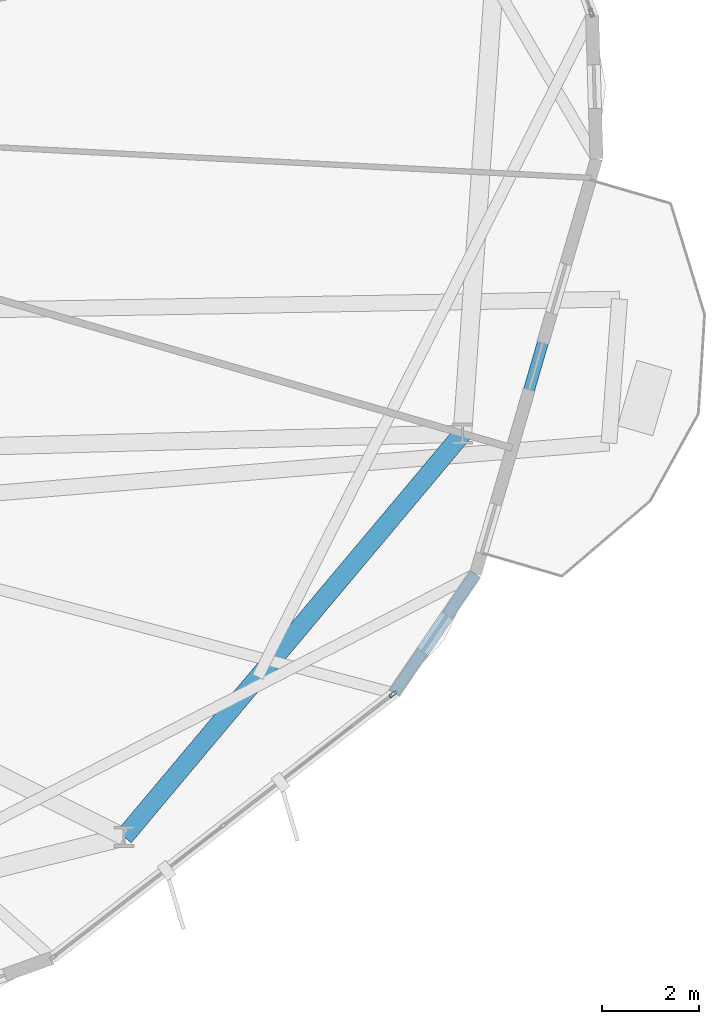
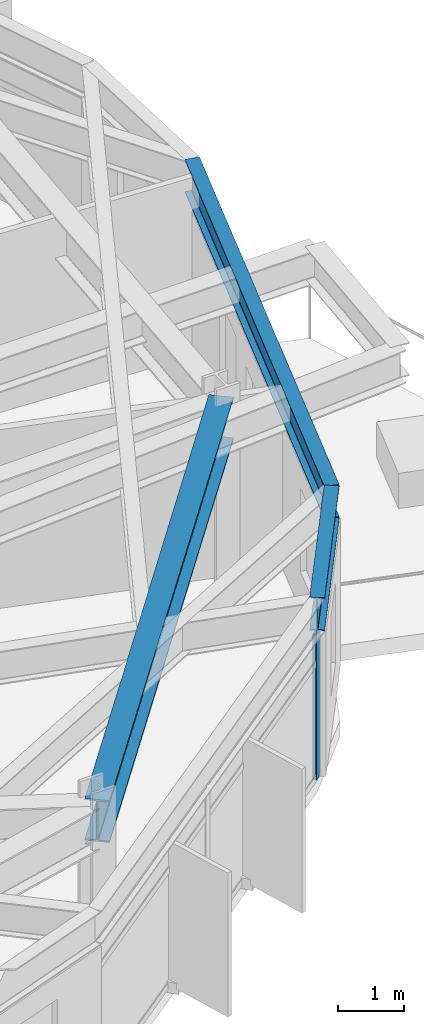
# One storey, part 9 of 23: 3 beams, 1 member, 1 element without a shape of its own.
"""IFC4 building model written with IfcOpenShell, lengths in metres."""

from ifc_helpers import new_model, si_unit, direction, frame, origin, origin_2d, place, context, subcontext, project, spatial, hollow_rectangle, i_section, extrude, material, layer, layer_set, material_profile, profile_set, type_object, element, aggregate, save


model = new_model("IFC4")

# Units and contexts
model_context = context("Model", 3, precision=1e-05, world=origin(), true_north=direction((0.0, 1.0)))
body_context = subcontext(model_context, "Body", "Model", "MODEL_VIEW")
ifc_project = project(units=[si_unit("LENGTHUNIT", "METRE"), si_unit("AREAUNIT", "SQUARE_METRE"), si_unit("VOLUMEUNIT", "CUBIC_METRE"), si_unit("PLANEANGLEUNIT", "RADIAN"), si_unit("MASSUNIT", "GRAM", prefix="KILO")], contexts=[model_context])

# Site, building, storey
site_placement = place(None, origin())
site = spatial("IfcSite", under=ifc_project, at=site_placement, CompositionType="ELEMENT")
building_placement = place(site_placement, origin())
building = spatial("IfcBuilding", under=site, at=building_placement, Name="Soratama Intermodal Tower", CompositionType="ELEMENT")
storey_placement = place(building_placement, frame((0.0, 0.0, 171.39990234375)))
storey = spatial("IfcBuildingStorey", under=building, at=storey_placement, Name="L42", CompositionType="ELEMENT", Elevation=171.39990234375)

# Beams
ifc_material_1 = material(Name="Structural steel ASTM A992 Grade 50", Category="steel")
ifc_material_profile_1 = material_profile(ifc_material_1, i_section(OverallWidth=0.382080078125, OverallDepth=0.779052734375, WebThickness=0.01806640625, FlangeThickness=0.030029296875, FilletRadius=0.01806640625, at=origin_2d()), Name="W30X191")
ifc_profile_set_1 = profile_set([ifc_material_profile_1], Name="Structural steel ASTM A992 Grade 50")
beam_type_1 = type_object("IfcBeamType", Name="BM-RING-W30X191", PredefinedType="BEAM", material=ifc_profile_set_1)
beam_1_placement = place(storey_placement, frame((54.27392578125, 10.158935546875, 2.91064453125), z_axis=(0.642791781199, 0.766040942785, 0.0), x_axis=(-0.766040942785, 0.642791781199, 0.0)))
element("IfcBeam", 1, at=beam_1_placement, inside=storey, type_object=beam_type_1, Name="BM-L42-RING-09", PredefinedType="BEAM", context=body_context, shape_type="SweptSolid", body=[
    extrude(i_section(OverallWidth=0.382080078125, OverallDepth=0.779052734375, WebThickness=0.01806640625, FlangeThickness=0.030029296875, FilletRadius=0.01806640625, at=origin_2d()), origin(), (0.0, 0.0, 1.0), 10.815673828125),
])
ifc_material_2 = material(Name="Structural steel ASTM A992 Grade 50", Category="steel")
ifc_material_profile_2 = material_profile(ifc_material_2, i_section(OverallWidth=0.22900390625, OverallDepth=0.612060546875, WebThickness=0.011962890625, FlangeThickness=0.01953125, FilletRadius=0.012939453125, at=origin_2d()), Name="W24X84")
ifc_profile_set_2 = profile_set([ifc_material_profile_2], Name="Structural steel ASTM A992 Grade 50")
beam_type_2 = type_object("IfcBeamType", Name="BM-SPN-W24X84", PredefinedType="SPANDREL", material=ifc_profile_set_2)
beam_2_placement = place(storey_placement, frame((59.822021484375, 13.110107421875, 2.994140625), z_axis=(0.563068587445, 0.826410168035, 0.0), x_axis=(-0.826410168035, 0.563068587445, 0.0)))
element("IfcBeam", 2, at=beam_2_placement, inside=storey, type_object=beam_type_2, Name="BS-L42-CRN08", PredefinedType="SPANDREL", context=body_context, shape_type="SweptSolid", body=[
    extrude(i_section(OverallWidth=0.22900390625, OverallDepth=0.612060546875, WebThickness=0.011962890625, FlangeThickness=0.01953125, FilletRadius=0.012939453125, at=origin_2d()), origin(), (0.0, 0.0, 1.0), 2.9658203125),
])
beam_3_placement = place(storey_placement, frame((61.491943359375, 15.56103515625, 2.994140625), z_axis=(0.279952530521, 0.960013843991, 0.0), x_axis=(-0.960013843991, 0.279952530521, 0.0)))
element("IfcBeam", 3, at=beam_3_placement, inside=storey, type_object=beam_type_2, Name="BS-L42-F09", PredefinedType="SPANDREL", context=body_context, shape_type="SweptSolid", body=[
    extrude(i_section(OverallWidth=0.22900390625, OverallDepth=0.612060546875, WebThickness=0.011962890625, FlangeThickness=0.01953125, FilletRadius=0.012939453125, at=origin_2d()), origin(), (0.0, 0.0, 1.0), 8.887451171875),
])

# Curtain wall, member
ifc_material_3 = material(Name="Double-glazed aluminium curtain wall", Category="aluminium")
ifc_layer = layer(ifc_material_3, 0.159912109375)
ifc_layer_set = layer_set([ifc_layer], Name="Double-glazed aluminium curtain wall")
curtain_wall_type = type_object("IfcCurtainWallType", Name="CW-SYS-4", PredefinedType="NOTDEFINED", material=ifc_layer_set)
curtain_wall_placement = place(storey_placement, origin())
curtain_wall = element("IfcCurtainWall", 4, at=curtain_wall_placement, inside=storey, type_object=curtain_wall_type, Name="L42 Faceted Curtain Wall F08", PredefinedType="NOTDEFINED")
ifc_material_4 = material(Name="Anodised aluminium AA 6063-T6", Category="aluminium")
ifc_material_profile_3 = material_profile(ifc_material_4, hollow_rectangle(XDim=0.070068359375, YDim=0.159912109375, WallThickness=0.0048828125, InnerFilletRadius=0.0048828125, OuterFilletRadius=0.010009765625, at=origin_2d()), Name="CWM160X70X5")
ifc_profile_set_3 = profile_set([ifc_material_profile_3], Name="Anodised aluminium AA 6063-T6")
member_type = type_object("IfcMemberType", Name="MT-CWM-4", PredefinedType="MULLION", material=ifc_profile_set_3)
member_placement = place(storey_placement, frame((59.79833984375, 13.091064453125, 0.0), z_axis=(0.0, 0.0, 1.0), x_axis=(-0.612073099005, 0.790801189601, 0.0)))
member = element("IfcMember", 5, at=member_placement, type_object=member_type, Name="CW-4 mullion 3", PredefinedType="MULLION", context=body_context, shape_type="SweptSolid", body=[
    extrude(hollow_rectangle(XDim=0.070068359375, YDim=0.159912109375, WallThickness=0.0048828125, InnerFilletRadius=0.0048828125, OuterFilletRadius=0.010009765625, at=origin_2d()), origin(), (0.0, 0.0, 1.0), 2.67919921875),
])
aggregate(curtain_wall, [member])

save(model, "model.ifc")
